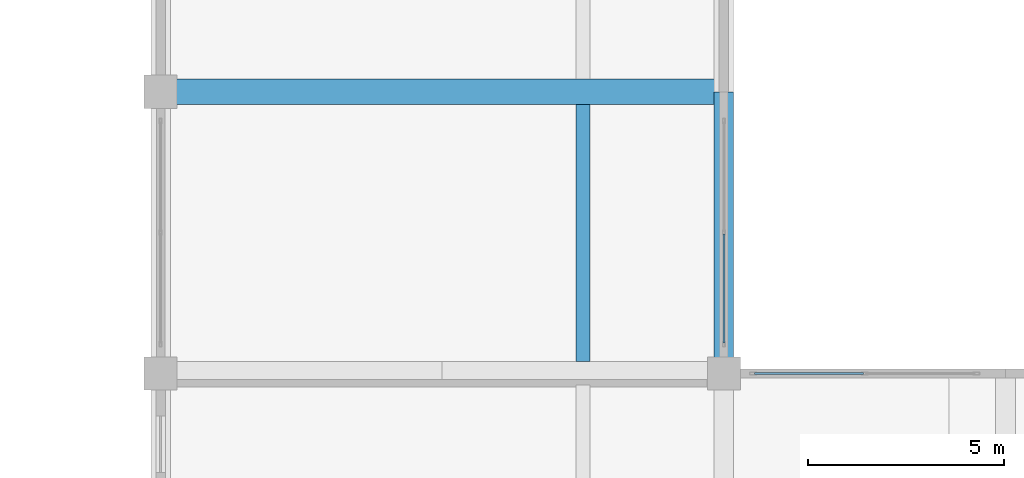
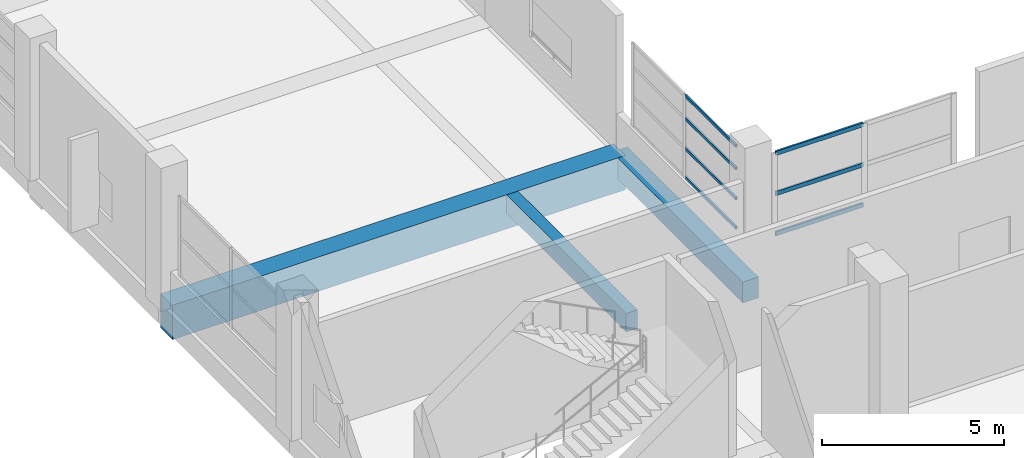
# One storey, part 68 of 181: 7 members, 3 beams, 2 elements without a shape of their own.
"""IFC4 building model written with IfcOpenShell, lengths in metres."""

from ifc_helpers import new_model, si_unit, direction, frame, origin, origin_2d, place, context, subcontext, project, spatial, rectangle, hollow_rectangle, extrude, material, layer, layer_set, material_profile, profile_set, type_object, element, aggregate, save


model = new_model("IFC4")

# Units and contexts
model_context = context("Model", 3, precision=1e-05, world=origin(), true_north=direction((0.0, 1.0)))
body_context = subcontext(model_context, "Body", "Model", "MODEL_VIEW")
ifc_project = project(units=[si_unit("LENGTHUNIT", "METRE"), si_unit("AREAUNIT", "SQUARE_METRE"), si_unit("VOLUMEUNIT", "CUBIC_METRE"), si_unit("PLANEANGLEUNIT", "RADIAN"), si_unit("MASSUNIT", "GRAM", prefix="KILO")], contexts=[model_context])

# Site, building, storey
site_placement = place(None, origin())
site = spatial("IfcSite", under=ifc_project, at=site_placement, CompositionType="ELEMENT")
building_placement = place(site_placement, origin())
building = spatial("IfcBuilding", under=site, at=building_placement, Name="Seraya Terrace Polytechnic", CompositionType="ELEMENT")
storey_placement = place(building_placement, frame((0.0, 0.0, 4.800048828125)))
storey = spatial("IfcBuildingStorey", under=building, at=storey_placement, Name="L01", CompositionType="ELEMENT", Elevation=4.800048828125)

# Beams
ifc_material_1 = material(Name="Concrete C40/50", Category="concrete")
ifc_material_profile_1 = material_profile(ifc_material_1, rectangle(XDim=0.64990234375, YDim=1.14990234375, at=origin_2d()), Name="RC 650x1150")
ifc_profile_set_1 = profile_set([ifc_material_profile_1], Name="Concrete C40/50")
beam_type_1 = type_object("IfcBeamType", Name="BG-02", PredefinedType="USERDEFINED", material=ifc_profile_set_1)
beam_1_placement = place(storey_placement, frame((14.39990234375, 93.60009765625, -0.574951171875), z_axis=(1.0, 0.0, 0.0), x_axis=(0.0, 1.0, 0.0)))
element("IfcBeam", 1, at=beam_1_placement, inside=storey, type_object=beam_type_1, Name="Beam BG-02 L01 X (14.4..28.8, 93.6)", ObjectType="GIRDER", PredefinedType="USERDEFINED", context=body_context, shape_type="SweptSolid", body=[
    extrude(rectangle(XDim=0.64990234375, YDim=1.14990234375, at=origin_2d()), origin(), (0.0, 0.0, 1.0), 14.400146484375),
])
ifc_material_profile_2 = material_profile(ifc_material_1, rectangle(XDim=0.5, YDim=0.699951171875, at=origin_2d()), Name="RC 500x700")
ifc_profile_set_2 = profile_set([ifc_material_profile_2], Name="Concrete C40/50")
beam_type_2 = type_object("IfcBeamType", Name="BM-07", PredefinedType="BEAM", material=ifc_profile_set_2)
beam_2_placement = place(storey_placement, frame((28.800048828125, 86.39990234375, -0.35009765625), z_axis=(0.0, 1.0, 0.0), x_axis=(-1.0, 0.0, 0.0)))
element("IfcBeam", 2, at=beam_2_placement, inside=storey, type_object=beam_type_2, Name="Beam BM-07 L01 Y (28.8, 86.4..93.6)", PredefinedType="BEAM", context=body_context, shape_type="SweptSolid", body=[
    extrude(rectangle(XDim=0.5, YDim=0.699951171875, at=origin_2d()), origin(), (0.0, 0.0, 1.0), 7.2001953125),
])

# Curtain wall, members
ifc_material_2 = material(Name="Anodised aluminium EN AW-6063 T6", Category="aluminium")
ifc_layer_1 = layer(ifc_material_2, 0.179931640625, Name="CW-10")
ifc_layer_set_1 = layer_set([ifc_layer_1], Name="Anodised aluminium EN AW-6063 T6")
curtain_wall_type_1 = type_object("IfcCurtainWallType", Name="CW-10", PredefinedType="NOTDEFINED", material=ifc_layer_set_1)
curtain_wall_1_placement = place(storey_placement, origin())
curtain_wall_1 = element("IfcCurtainWall", 3, at=curtain_wall_1_placement, inside=storey, type_object=curtain_wall_type_1, Name="Unitised curtain wall CW-10 (CW-L01-010)", PredefinedType="NOTDEFINED")
ifc_material_profile_3 = material_profile(ifc_material_2, hollow_rectangle(XDim=0.06005859375, YDim=0.139892578125, WallThickness=0.00341796875, at=origin_2d()), Name="RHS 140x60x3.5")
ifc_profile_set_3 = profile_set([ifc_material_profile_3], Name="Anodised aluminium EN AW-6063 T6")
member_type_1 = type_object("IfcMemberType", Name="CWT-01", PredefinedType="USERDEFINED", material=ifc_profile_set_3)
member_1_placement = place(storey_placement, frame((29.5849609375, 86.39990234375, 1.27001953125), z_axis=(1.0, 0.0, 0.0), x_axis=(0.0, 1.0, 0.0)))
member_1 = element("IfcMember", 4, at=member_1_placement, type_object=member_type_1, Name="CW-10 transom 1.1", ObjectType="TRANSOM", PredefinedType="USERDEFINED", context=body_context, shape_type="SweptSolid", body=[
    extrude(hollow_rectangle(XDim=0.06005859375, YDim=0.139892578125, WallThickness=0.00341796875, at=origin_2d()), origin(), (0.0, 0.0, 1.0), 2.782470703125),
])
member_2_placement = place(storey_placement, frame((29.5849609375, 86.39990234375, 2.619873046875), z_axis=(1.0, 0.0, 0.0), x_axis=(0.0, 1.0, 0.0)))
member_2 = element("IfcMember", 5, at=member_2_placement, type_object=member_type_1, Name="CW-10 transom 1.2", ObjectType="TRANSOM", PredefinedType="USERDEFINED", context=body_context, shape_type="SweptSolid", body=[
    extrude(hollow_rectangle(XDim=0.06005859375, YDim=0.139892578125, WallThickness=0.00341796875, at=origin_2d()), origin(), (0.0, 0.0, 1.0), 2.782470703125),
])
member_3_placement = place(storey_placement, frame((29.5849609375, 86.39990234375, 3.969970703125), z_axis=(1.0, 0.0, 0.0), x_axis=(0.0, 1.0, 0.0)))
member_3 = element("IfcMember", 6, at=member_3_placement, type_object=member_type_1, Name="CW-10 transom 1.3", ObjectType="TRANSOM", PredefinedType="USERDEFINED", context=body_context, shape_type="SweptSolid", body=[
    extrude(hollow_rectangle(XDim=0.06005859375, YDim=0.139892578125, WallThickness=0.00341796875, at=origin_2d()), origin(), (0.0, 0.0, 1.0), 2.782470703125),
])
aggregate(curtain_wall_1, [member_1, member_2, member_3])

ifc_layer_2 = layer(ifc_material_2, 0.179931640625, Name="CW-09")
ifc_layer_set_2 = layer_set([ifc_layer_2], Name="Anodised aluminium EN AW-6063 T6")
curtain_wall_type_2 = type_object("IfcCurtainWallType", Name="CW-09", PredefinedType="NOTDEFINED", material=ifc_layer_set_2)
curtain_wall_2_placement = place(storey_placement, origin())
curtain_wall_2 = element("IfcCurtainWall", 7, at=curtain_wall_2_placement, inside=storey, type_object=curtain_wall_type_2, Name="Unitised curtain wall CW-09 (CW-L01-009)", PredefinedType="NOTDEFINED")
ifc_material_profile_4 = material_profile(ifc_material_2, hollow_rectangle(XDim=0.054931640625, YDim=0.10009765625, WallThickness=0.0029296875, at=origin_2d()), Name="RHS 100x55x3.0")
ifc_profile_set_4 = profile_set([ifc_material_profile_4], Name="Anodised aluminium EN AW-6063 T6")
member_type_2 = type_object("IfcMemberType", Name="CWT-03", PredefinedType="USERDEFINED", material=ifc_profile_set_4)
member_4_placement = place(storey_placement, frame((28.800048828125, 89.969970703125, 1.267333984375), z_axis=(0.0, -1.0, 0.0), x_axis=(1.0, 0.0, 0.0)))
member_4 = element("IfcMember", 8, at=member_4_placement, type_object=member_type_2, Name="CW-09 transom 2.1", ObjectType="TRANSOM", PredefinedType="USERDEFINED", context=body_context, shape_type="SweptSolid", body=[
    extrude(hollow_rectangle(XDim=0.054931640625, YDim=0.10009765625, WallThickness=0.0029296875, at=origin_2d()), origin(), (0.0, 0.0, 1.0), 2.7900390625),
])
member_5_placement = place(storey_placement, frame((28.800048828125, 89.969970703125, 2.248046875), z_axis=(0.0, -1.0, 0.0), x_axis=(1.0, 0.0, 0.0)))
member_5 = element("IfcMember", 9, at=member_5_placement, type_object=member_type_2, Name="CW-09 transom 2.2", ObjectType="TRANSOM", PredefinedType="USERDEFINED", context=body_context, shape_type="SweptSolid", body=[
    extrude(hollow_rectangle(XDim=0.054931640625, YDim=0.10009765625, WallThickness=0.0029296875, at=origin_2d()), origin(), (0.0, 0.0, 1.0), 2.7900390625),
])
member_6_placement = place(storey_placement, frame((28.800048828125, 89.969970703125, 3.255859375), z_axis=(0.0, -1.0, 0.0), x_axis=(1.0, 0.0, 0.0)))
member_6 = element("IfcMember", 10, at=member_6_placement, type_object=member_type_2, Name="CW-09 transom 2.3", ObjectType="TRANSOM", PredefinedType="USERDEFINED", context=body_context, shape_type="SweptSolid", body=[
    extrude(hollow_rectangle(XDim=0.054931640625, YDim=0.10009765625, WallThickness=0.0029296875, at=origin_2d()), origin(), (0.0, 0.0, 1.0), 2.7900390625),
])
member_7_placement = place(storey_placement, frame((28.800048828125, 89.969970703125, 4.012451171875), z_axis=(0.0, -1.0, 0.0), x_axis=(1.0, 0.0, 0.0)))
member_7 = element("IfcMember", 11, at=member_7_placement, type_object=member_type_2, Name="CW-09 transom 2.4", ObjectType="TRANSOM", PredefinedType="USERDEFINED", context=body_context, shape_type="SweptSolid", body=[
    extrude(hollow_rectangle(XDim=0.054931640625, YDim=0.10009765625, WallThickness=0.0029296875, at=origin_2d()), origin(), (0.0, 0.0, 1.0), 2.7900390625),
])
aggregate(curtain_wall_2, [member_4, member_5, member_6, member_7])

# Beam
ifc_material_profile_5 = material_profile(ifc_material_1, rectangle(XDim=0.360107421875, YDim=0.6201171875, at=origin_2d()), Name="RC 360x620")
ifc_profile_set_5 = profile_set([ifc_material_profile_5], Name="Concrete C40/50")
beam_type_3 = type_object("IfcBeamType", Name="JS-01", PredefinedType="JOIST", material=ifc_profile_set_5)
beam_3_placement = place(storey_placement, frame((25.199951171875, 86.699951171875, -0.31005859375), z_axis=(0.0, 1.0, 0.0), x_axis=(-1.0, 0.0, 0.0)))
element("IfcBeam", 12, at=beam_3_placement, inside=storey, type_object=beam_type_3, Name="Secondary joist JS-01 L01", PredefinedType="JOIST", context=body_context, shape_type="SweptSolid", body=[
    extrude(rectangle(XDim=0.360107421875, YDim=0.6201171875, at=origin_2d()), origin(), (0.0, 0.0, 1.0), 6.574951171875),
])

save(model, "model.ifc")
